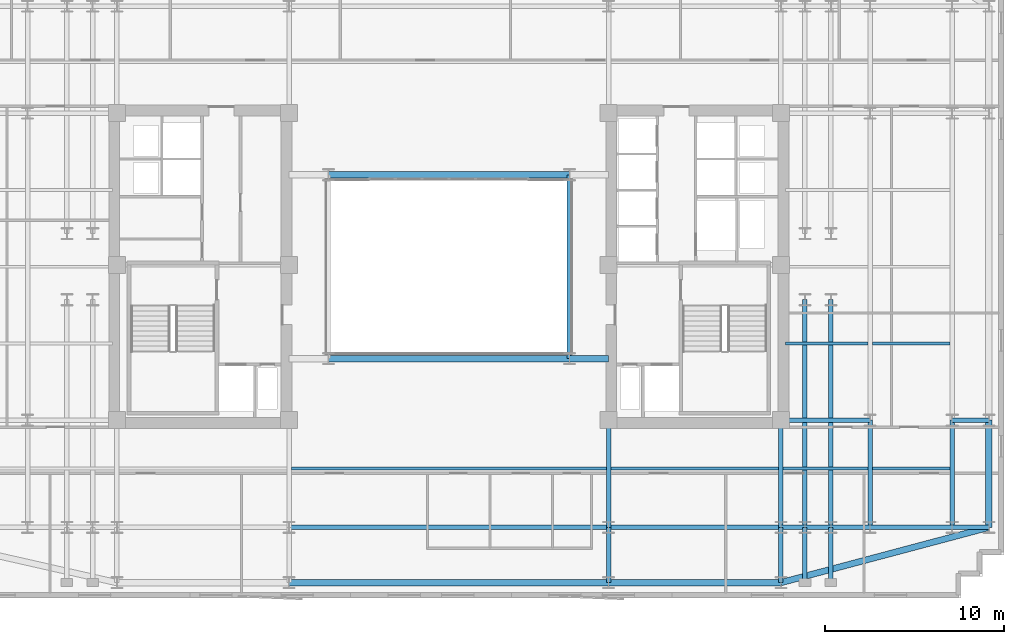
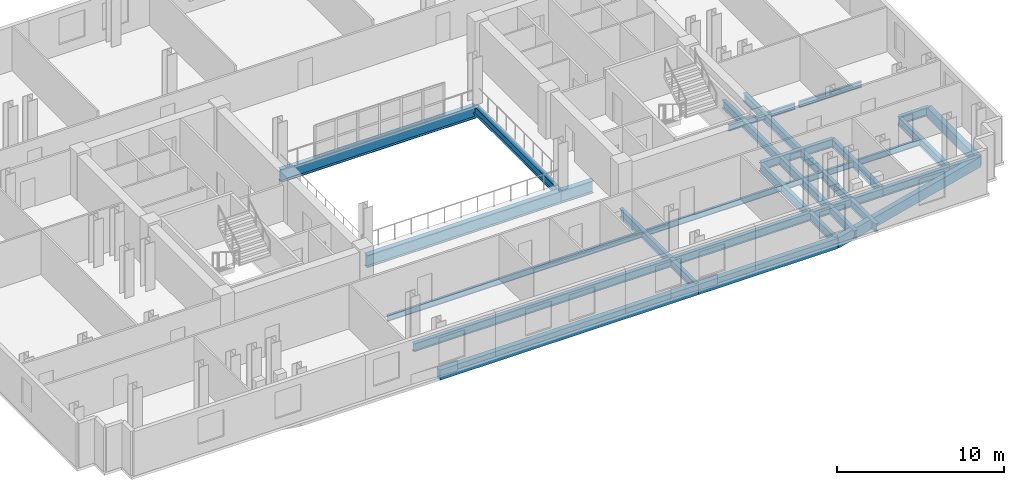
# One storey, part 3 of 12: 31 beams.
"""IFC4 building model written with IfcOpenShell, lengths in metres."""

from ifc_helpers import new_model, si_unit, direction, frame, origin, origin_2d, place, context, subcontext, project, spatial, rectangle, i_section, extrude, material, material_profile, profile_set, type_object, element, save


model = new_model("IFC4")

# Units and contexts
model_context = context("Model", 3, precision=1e-05, world=origin(), true_north=direction((0.0, 1.0)))
body_context = subcontext(model_context, "Body", "Model", "MODEL_VIEW")
ifc_project = project(units=[si_unit("LENGTHUNIT", "METRE"), si_unit("AREAUNIT", "SQUARE_METRE"), si_unit("VOLUMEUNIT", "CUBIC_METRE"), si_unit("PLANEANGLEUNIT", "RADIAN"), si_unit("MASSUNIT", "GRAM", prefix="KILO")], contexts=[model_context])

# Site, building, storey
site_placement = place(None, origin())
site = spatial("IfcSite", under=ifc_project, at=site_placement, CompositionType="ELEMENT")
building_placement = place(site_placement, origin())
building = spatial("IfcBuilding", under=site, at=building_placement, Name="Velakula Bourse", CompositionType="ELEMENT")
storey_placement = place(building_placement, frame((0.0, 0.0, 148.449951171875)))
storey = spatial("IfcBuildingStorey", under=building, at=storey_placement, Name="L40", CompositionType="ELEMENT", Elevation=148.449951171875)

# Beams
ifc_material_1 = material(Name="Steel IS 2062 Grade 350 (E350)", Category="steel")
ifc_material_profile_1 = material_profile(ifc_material_1, i_section(OverallWidth=0.25, OverallDepth=0.60009765625, WebThickness=0.01123046875, FlangeThickness=0.021240234375, at=origin_2d()), Name="Steel IS 2062 Grade 350 (E350)")
ifc_profile_set_1 = profile_set([ifc_material_profile_1], Name="Steel IS 2062 Grade 350 (E350)")
beam_type_1 = type_object("IfcBeamType", Name="BM-GRD-600M", PredefinedType="BEAM", material=ifc_profile_set_1)
beam_1_placement = place(storey_placement, frame((6.75, -5.14990234375, -0.47998046875), z_axis=(0.0, 1.0, 0.0), x_axis=(-1.0, 0.0, 0.0)))
element("IfcBeam", 1, at=beam_1_placement, inside=storey, type_object=beam_type_1, Name="L40 Primary Backbone Girder SPN-E", PredefinedType="BEAM", context=body_context, shape_type="SweptSolid", body=[
    extrude(i_section(OverallWidth=0.25, OverallDepth=0.60009765625, WebThickness=0.01123046875, FlangeThickness=0.021240234375, at=origin_2d()), origin(), (0.0, 0.0, 1.0), 10.2998046875),
])
for number, where, z_axis, x_axis, name in (
    (2, (8.949951171875, -14.60009765625, -0.47998046875), (0.0, 1.0, 0.0), (-1.0, 0.0, 0.0), "L40 Fulcrum Grid Girder FLC-ECS"),
    (3, (18.60009765625, -14.60009765625, -0.47998046875), (0.0, 1.0, 0.0), (-1.0, 0.0, 0.0), "L40 Fulcrum Grid Girder FLC-ES"),
):
    element("IfcBeam", number, at=place(storey_placement, frame(where, z_axis=z_axis, x_axis=x_axis)), inside=storey, type_object=beam_type_1, Name=name, PredefinedType="BEAM", context=body_context, shape_type="SweptSolid", body=[
        extrude(i_section(OverallWidth=0.25, OverallDepth=0.60009765625, WebThickness=0.01123046875, FlangeThickness=0.021240234375, at=origin_2d()), origin(), (0.0, 0.0, 1.0), 6.0),
    ])
beam_2_placement = place(storey_placement, frame((-8.949951171875, -14.60009765625, -0.47998046875), z_axis=(1.0, 0.0, 0.0), x_axis=(0.0, 1.0, 0.0)))
element("IfcBeam", 4, at=beam_2_placement, inside=storey, type_object=beam_type_1, Name="L40 Fulcrum Grid Girder FLC-S2", PredefinedType="BEAM", context=body_context, shape_type="SweptSolid", body=[
    extrude(i_section(OverallWidth=0.25, OverallDepth=0.60009765625, WebThickness=0.01123046875, FlangeThickness=0.021240234375, at=origin_2d()), origin(), (0.0, 0.0, 1.0), 17.89990234375),
])
beam_3_placement = place(storey_placement, frame((8.949951171875, -14.60009765625, -0.47998046875), z_axis=(1.0, 0.0, 0.0), x_axis=(0.0, 1.0, 0.0)))
element("IfcBeam", 5, at=beam_3_placement, inside=storey, type_object=beam_type_1, Name="L40 Fulcrum Grid Girder FLC-S3", PredefinedType="BEAM", context=body_context, shape_type="SweptSolid", body=[
    extrude(i_section(OverallWidth=0.25, OverallDepth=0.60009765625, WebThickness=0.01123046875, FlangeThickness=0.021240234375, at=origin_2d()), origin(), (0.0, 0.0, 1.0), 9.650146484375),
])
for number, where, z_axis, x_axis, name in (
    (6, (19.949951171875, -14.60009765625, -0.47998046875), (0.0, 1.0, 0.0), (-1.0, 0.0, 0.0), "L40 Fulcrum Grid Girder FLC-PSE1"),
    (7, (21.39990234375, -14.60009765625, -0.47998046875), (0.0, 1.0, 0.0), (-1.0, 0.0, 0.0), "L40 Fulcrum Grid Girder FLC-PSE2"),
):
    element("IfcBeam", number, at=place(storey_placement, frame(where, z_axis=z_axis, x_axis=x_axis)), inside=storey, type_object=beam_type_1, Name=name, PredefinedType="BEAM", context=body_context, shape_type="SweptSolid", body=[
        extrude(i_section(OverallWidth=0.25, OverallDepth=0.60009765625, WebThickness=0.01123046875, FlangeThickness=0.021240234375, at=origin_2d()), origin(), (0.0, 0.0, 1.0), 12.75),
    ])
for number, where, z_axis, x_axis, name in (
    (8, (18.60009765625, -14.60009765625, -0.47998046875), (1.0, 0.0, 0.0), (0.0, 1.0, 0.0), "L40 Fulcrum Grid Girder MWG-ES1"),
    (9, (18.60009765625, -8.60009765625, -0.47998046875), (1.0, 0.0, 0.0), (0.0, 1.0, 0.0), "L40 Fulcrum Grid Girder MWG-ES2"),
):
    element("IfcBeam", number, at=place(storey_placement, frame(where, z_axis=z_axis, x_axis=x_axis)), inside=storey, type_object=beam_type_1, Name=name, PredefinedType="BEAM", context=body_context, shape_type="SweptSolid", body=[
        extrude(i_section(OverallWidth=0.25, OverallDepth=0.60009765625, WebThickness=0.01123046875, FlangeThickness=0.021240234375, at=origin_2d()), origin(), (0.0, 0.0, 1.0), 5.0),
    ])
beam_4_placement = place(storey_placement, frame((23.60009765625, -14.60009765625, -0.47998046875), z_axis=(0.0, 1.0, 0.0), x_axis=(-1.0, 0.0, 0.0)))
element("IfcBeam", 10, at=beam_4_placement, inside=storey, type_object=beam_type_1, Name="L40 Fulcrum Grid Girder MWG-ENS1", PredefinedType="BEAM", context=body_context, shape_type="SweptSolid", body=[
    extrude(i_section(OverallWidth=0.25, OverallDepth=0.60009765625, WebThickness=0.01123046875, FlangeThickness=0.021240234375, at=origin_2d()), origin(), (0.0, 0.0, 1.0), 6.0),
])
beam_5_placement = place(storey_placement, frame((23.60009765625, -14.60009765625, -0.47998046875), z_axis=(1.0, 0.0, 0.0), x_axis=(0.0, 1.0, 0.0)))
element("IfcBeam", 11, at=beam_5_placement, inside=storey, type_object=beam_type_1, Name="L40 Fulcrum Grid Girder WNG-ES1", PredefinedType="BEAM", context=body_context, shape_type="SweptSolid", body=[
    extrude(i_section(OverallWidth=0.25, OverallDepth=0.60009765625, WebThickness=0.01123046875, FlangeThickness=0.021240234375, at=origin_2d()), origin(), (0.0, 0.0, 1.0), 4.599853515625),
])
beam_6_placement = place(storey_placement, frame((28.199951171875, -14.60009765625, -0.47998046875), z_axis=(0.0, 1.0, 0.0), x_axis=(-1.0, 0.0, 0.0)))
element("IfcBeam", 12, at=beam_6_placement, inside=storey, type_object=beam_type_1, Name="L40 Fulcrum Grid Girder WNG-ENS1", PredefinedType="BEAM", context=body_context, shape_type="SweptSolid", body=[
    extrude(i_section(OverallWidth=0.25, OverallDepth=0.60009765625, WebThickness=0.01123046875, FlangeThickness=0.021240234375, at=origin_2d()), origin(), (0.0, 0.0, 1.0), 6.0),
])
for number, where, z_axis, x_axis, name in (
    (13, (8.949951171875, -14.60009765625, -0.47998046875), (0.0, -1.0, 0.0), (1.0, 0.0, 0.0), "L40 Perimeter Tie Girder S3"),
    (14, (18.60009765625, -14.60009765625, -0.47998046875), (0.0, -1.0, 0.0), (1.0, 0.0, 0.0), "L40 Perimeter Tie Girder S4"),
):
    element("IfcBeam", number, at=place(storey_placement, frame(where, z_axis=z_axis, x_axis=x_axis)), inside=storey, type_object=beam_type_1, Name=name, PredefinedType="BEAM", context=body_context, shape_type="SweptSolid", body=[
        extrude(i_section(OverallWidth=0.25, OverallDepth=0.60009765625, WebThickness=0.01123046875, FlangeThickness=0.021240234375, at=origin_2d()), origin(), (0.0, 0.0, 1.0), 3.099853515625),
    ])
for number, where, z_axis, x_axis, name in (
    (15, (28.199951171875, -14.60009765625, -0.47998046875), (1.0, 0.0, 0.0), (0.0, 1.0, 0.0), "L40 Perimeter Tie Girder E1"),
    (16, (28.199951171875, -8.60009765625, -0.47998046875), (1.0, 0.0, 0.0), (0.0, 1.0, 0.0), "L40 Perimeter Tie Girder E2"),
):
    element("IfcBeam", number, at=place(storey_placement, frame(where, z_axis=z_axis, x_axis=x_axis)), inside=storey, type_object=beam_type_1, Name=name, PredefinedType="BEAM", context=body_context, shape_type="SweptSolid", body=[
        extrude(i_section(OverallWidth=0.25, OverallDepth=0.60009765625, WebThickness=0.01123046875, FlangeThickness=0.021240234375, at=origin_2d()), origin(), (0.0, 0.0, 1.0), 2.050048828125),
    ])
for number, where, z_axis, x_axis, name in (
    (17, (19.949951171875, -14.60009765625, -0.47998046875), (0.0, -1.0, 0.0), (1.0, 0.0, 0.0), "L40 Perimeter Tie Girder P03"),
    (18, (21.39990234375, -14.60009765625, -0.47998046875), (0.0, -1.0, 0.0), (1.0, 0.0, 0.0), "L40 Perimeter Tie Girder P04"),
):
    element("IfcBeam", number, at=place(storey_placement, frame(where, z_axis=z_axis, x_axis=x_axis)), inside=storey, type_object=beam_type_1, Name=name, PredefinedType="BEAM", context=body_context, shape_type="SweptSolid", body=[
        extrude(i_section(OverallWidth=0.25, OverallDepth=0.60009765625, WebThickness=0.01123046875, FlangeThickness=0.021240234375, at=origin_2d()), origin(), (0.0, 0.0, 1.0), 3.099853515625),
    ])
ifc_material_profile_2 = material_profile(ifc_material_1, i_section(OverallWidth=0.35009765625, OverallDepth=0.89990234375, WebThickness=0.02001953125, FlangeThickness=0.031982421875, at=origin_2d()), Name="Steel IS 2062 Grade 350 (E350)")
ifc_profile_set_2 = profile_set([ifc_material_profile_2], Name="Steel IS 2062 Grade 350 (E350)")
beam_type_2 = type_object("IfcBeamType", Name="BM-LNK-900", PredefinedType="BEAM", material=ifc_profile_set_2)
beam_7_placement = place(storey_placement, frame((-6.75, -5.14990234375, -0.6298828125), z_axis=(1.0, 0.0, 0.0), x_axis=(0.0, 1.0, 0.0)))
element("IfcBeam", 19, at=beam_7_placement, inside=storey, type_object=beam_type_2, Name="L40 Primary Backbone Girder LNK-S2", PredefinedType="BEAM", context=body_context, shape_type="SweptSolid", body=[
    extrude(i_section(OverallWidth=0.35009765625, OverallDepth=0.89990234375, WebThickness=0.02001953125, FlangeThickness=0.031982421875, at=origin_2d()), origin(), (0.0, 0.0, 1.0), 13.5),
])
beam_8_placement = place(storey_placement, frame((6.75, -5.14990234375, -0.6298828125), z_axis=(1.0, 0.0, 0.0), x_axis=(0.0, 1.0, 0.0)))
element("IfcBeam", 20, at=beam_8_placement, inside=storey, type_object=beam_type_2, Name="L40 Primary Backbone Girder LNK-S3", PredefinedType="BEAM", context=body_context, shape_type="SweptSolid", body=[
    extrude(i_section(OverallWidth=0.35009765625, OverallDepth=0.89990234375, WebThickness=0.02001953125, FlangeThickness=0.031982421875, at=origin_2d()), origin(), (0.0, 0.0, 1.0), 2.199951171875),
])
beam_9_placement = place(storey_placement, frame((-6.75, 5.14990234375, -0.6298828125), z_axis=(1.0, 0.0, 0.0), x_axis=(0.0, 1.0, 0.0)))
element("IfcBeam", 21, at=beam_9_placement, inside=storey, type_object=beam_type_2, Name="L40 Primary Backbone Girder LNK-N2", PredefinedType="BEAM", context=body_context, shape_type="SweptSolid", body=[
    extrude(i_section(OverallWidth=0.35009765625, OverallDepth=0.89990234375, WebThickness=0.02001953125, FlangeThickness=0.031982421875, at=origin_2d()), origin(), (0.0, 0.0, 1.0), 13.5),
])
ifc_material_profile_3 = material_profile(ifc_material_1, i_section(OverallWidth=0.14990234375, OverallDepth=0.449951171875, WebThickness=0.009521484375, FlangeThickness=0.017333984375, at=origin_2d()), Name="Steel IS 2062 Grade 350 (E350)")
ifc_profile_set_3 = profile_set([ifc_material_profile_3], Name="Steel IS 2062 Grade 350 (E350)")
beam_type_3 = type_object("IfcBeamType", Name="JST-TWR-450", PredefinedType="JOIST", material=ifc_profile_set_3)
beam_10_placement = place(storey_placement, frame((-8.824951171875, -11.300048828125, -0.405029296875), z_axis=(1.0, 0.0, 0.0), x_axis=(0.0, 1.0, 0.0)))
element("IfcBeam", 22, at=beam_10_placement, inside=storey, type_object=beam_type_3, Name="L40 Trading Floor Composite Joist 05", PredefinedType="JOIST", context=body_context, shape_type="SweptSolid", body=[
    extrude(i_section(OverallWidth=0.14990234375, OverallDepth=0.449951171875, WebThickness=0.009521484375, FlangeThickness=0.017333984375, at=origin_2d()), origin(), (0.0, 0.0, 1.0), 17.64990234375),
])
beam_11_placement = place(storey_placement, frame((9.074951171875, -11.300048828125, -0.405029296875), z_axis=(1.0, 0.0, 0.0), x_axis=(0.0, 1.0, 0.0)))
element("IfcBeam", 23, at=beam_11_placement, inside=storey, type_object=beam_type_3, Name="L40 Trading Floor Composite Joist 06", PredefinedType="JOIST", context=body_context, shape_type="SweptSolid", body=[
    extrude(i_section(OverallWidth=0.14990234375, OverallDepth=0.449951171875, WebThickness=0.009521484375, FlangeThickness=0.017333984375, at=origin_2d()), origin(), (0.0, 0.0, 1.0), 9.400146484375),
])
beam_12_placement = place(storey_placement, frame((18.72509765625, -11.300048828125, -0.405029296875), z_axis=(1.0, 0.0, 0.0), x_axis=(0.0, 1.0, 0.0)))
element("IfcBeam", 24, at=beam_12_placement, inside=storey, type_object=beam_type_3, Name="L40 Trading Floor Composite Joist 07", PredefinedType="JOIST", context=body_context, shape_type="SweptSolid", body=[
    extrude(i_section(OverallWidth=0.14990234375, OverallDepth=0.449951171875, WebThickness=0.009521484375, FlangeThickness=0.017333984375, at=origin_2d()), origin(), (0.0, 0.0, 1.0), 4.75),
])
beam_13_placement = place(storey_placement, frame((23.72509765625, -11.300048828125, -0.405029296875), z_axis=(1.0, 0.0, 0.0), x_axis=(0.0, 1.0, 0.0)))
element("IfcBeam", 25, at=beam_13_placement, inside=storey, type_object=beam_type_3, Name="L40 Trading Floor Composite Joist 08", PredefinedType="JOIST", context=body_context, shape_type="SweptSolid", body=[
    extrude(i_section(OverallWidth=0.14990234375, OverallDepth=0.449951171875, WebThickness=0.009521484375, FlangeThickness=0.017333984375, at=origin_2d()), origin(), (0.0, 0.0, 1.0), 4.349853515625),
])
beam_14_placement = place(storey_placement, frame((18.85009765625, -4.300048828125, -0.405029296875), z_axis=(1.0, 0.0, 0.0), x_axis=(0.0, 1.0, 0.0)))
element("IfcBeam", 26, at=beam_14_placement, inside=storey, type_object=beam_type_3, Name="L40 Trading Floor Composite Joist 28", PredefinedType="JOIST", context=body_context, shape_type="SweptSolid", body=[
    extrude(i_section(OverallWidth=0.14990234375, OverallDepth=0.449951171875, WebThickness=0.009521484375, FlangeThickness=0.017333984375, at=origin_2d()), origin(), (0.0, 0.0, 1.0), 4.625),
])
beam_15_placement = place(storey_placement, frame((23.72509765625, -4.300048828125, -0.405029296875), z_axis=(1.0, 0.0, 0.0), x_axis=(0.0, 1.0, 0.0)))
element("IfcBeam", 27, at=beam_15_placement, inside=storey, type_object=beam_type_3, Name="L40 Trading Floor Composite Joist 29", PredefinedType="JOIST", context=body_context, shape_type="SweptSolid", body=[
    extrude(i_section(OverallWidth=0.14990234375, OverallDepth=0.449951171875, WebThickness=0.009521484375, FlangeThickness=0.017333984375, at=origin_2d()), origin(), (0.0, 0.0, 1.0), 4.349853515625),
])
ifc_material_2 = material(Name="Precast concrete M45 (fck 45 MPa)", Category="concrete")
ifc_material_profile_4 = material_profile(ifc_material_2, rectangle(XDim=0.35009765625, YDim=0.75, at=origin_2d()), Name="Precast concrete M45 (fck 45 MPa)")
ifc_profile_set_4 = profile_set([ifc_material_profile_4], Name="Precast concrete M45 (fck 45 MPa)")
beam_type_4 = type_object("IfcBeamType", Name="SPN-BRICK-750", PredefinedType="SPANDREL", material=ifc_profile_set_4)
beam_16_placement = place(storey_placement, frame((-8.949951171875, -17.699951171875, -0.554931640625), z_axis=(1.0, 0.0, 0.0), x_axis=(0.0, 1.0, 0.0)))
element("IfcBeam", 28, at=beam_16_placement, inside=storey, type_object=beam_type_4, Name="L40 Brick-Faced Precast Spandrel S2-S3", PredefinedType="SPANDREL", context=body_context, shape_type="SweptSolid", body=[
    extrude(rectangle(XDim=0.35009765625, YDim=0.75, at=origin_2d()), origin(), (0.0, 0.0, 1.0), 17.89990234375),
])
beam_17_placement = place(storey_placement, frame((8.949951171875, -17.699951171875, -0.554931640625), z_axis=(1.0, 0.0, 0.0), x_axis=(0.0, 1.0, 0.0)))
element("IfcBeam", 29, at=beam_17_placement, inside=storey, type_object=beam_type_4, Name="L40 Brick-Faced Precast Spandrel S3-S4", PredefinedType="SPANDREL", context=body_context, shape_type="SweptSolid", body=[
    extrude(rectangle(XDim=0.35009765625, YDim=0.75, at=origin_2d()), origin(), (0.0, 0.0, 1.0), 9.650146484375),
])
beam_18_placement = place(storey_placement, frame((30.25, -14.60009765625, -0.554931640625), z_axis=(0.0, 1.0, 0.0), x_axis=(-1.0, 0.0, 0.0)))
element("IfcBeam", 30, at=beam_18_placement, inside=storey, type_object=beam_type_4, Name="L40 Brick-Faced Precast Spandrel E1-E2", PredefinedType="SPANDREL", context=body_context, shape_type="SweptSolid", body=[
    extrude(rectangle(XDim=0.35009765625, YDim=0.75, at=origin_2d()), origin(), (0.0, 0.0, 1.0), 6.0),
])
beam_19_placement = place(storey_placement, frame((18.60009765625, -17.699951171875, -0.554931640625), z_axis=(0.966374962557, 0.257136990226, 0.0), x_axis=(-0.257136990226, 0.966374962557, 0.0)))
element("IfcBeam", 31, at=beam_19_placement, inside=storey, type_object=beam_type_4, Name="L40 Brick-Faced Precast Spandrel S4-E1", PredefinedType="SPANDREL", context=body_context, shape_type="SweptSolid", body=[
    extrude(rectangle(XDim=0.35009765625, YDim=0.75, at=origin_2d()), origin(), (0.0, 0.0, 1.0), 12.05517578125),
])

save(model, "model.ifc")
